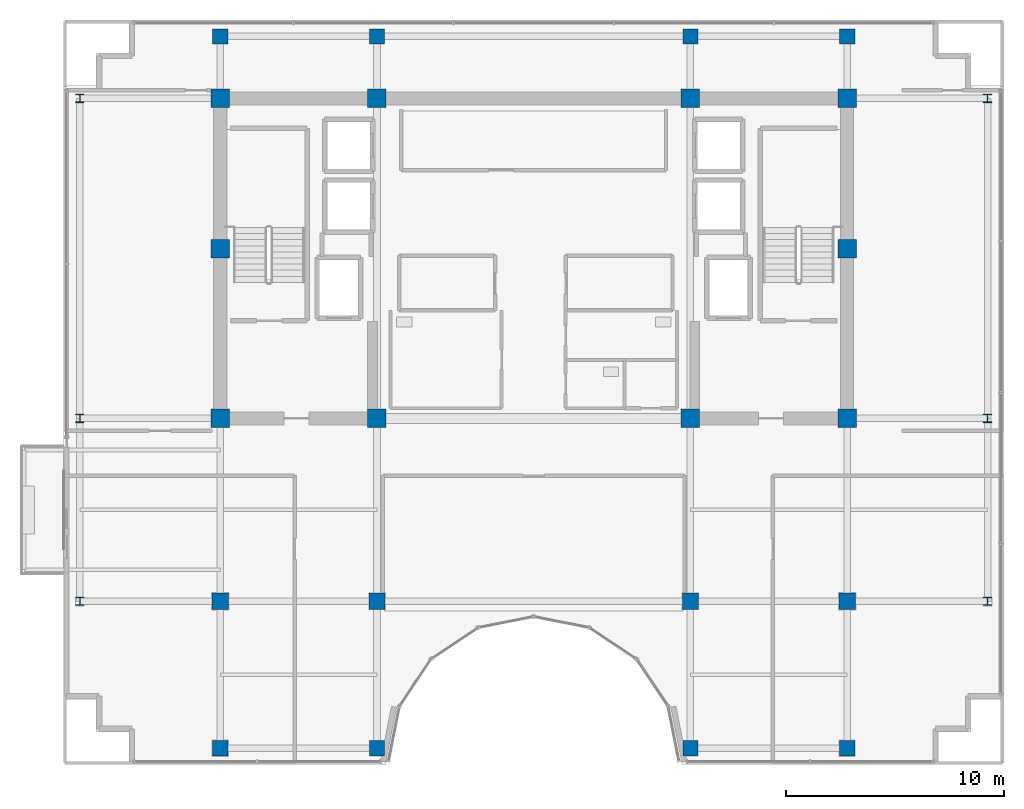
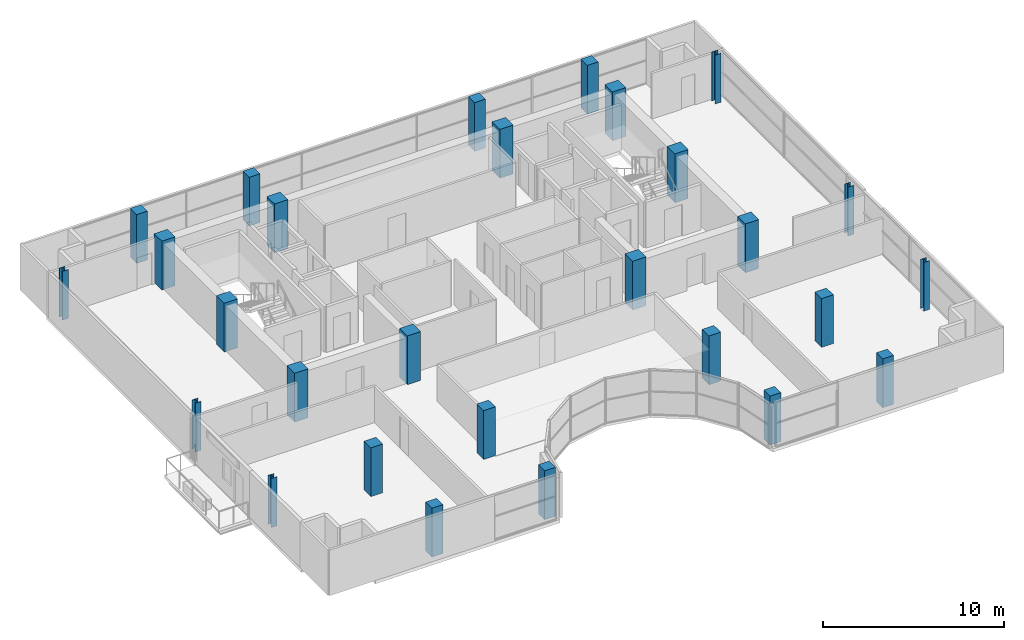
# One storey, part 1 of 28: 28 columns.
"""IFC4 building model written with IfcOpenShell, lengths in metres."""

from ifc_helpers import new_model, si_unit, direction, frame, origin, origin_2d, place, context, subcontext, project, spatial, rectangle, i_section, extrude, material, material_profile, profile_set, type_object, element, save


model = new_model("IFC4")

# Units and contexts
model_context = context("Model", 3, precision=1e-05, world=origin(), true_north=direction((0.0, 1.0)))
body_context = subcontext(model_context, "Body", "Model", "MODEL_VIEW")
ifc_project = project(units=[si_unit("LENGTHUNIT", "METRE"), si_unit("AREAUNIT", "SQUARE_METRE"), si_unit("VOLUMEUNIT", "CUBIC_METRE"), si_unit("PLANEANGLEUNIT", "RADIAN"), si_unit("MASSUNIT", "GRAM", prefix="KILO")], contexts=[model_context])

# Site, building, storey
site_placement = place(None, origin())
site = spatial("IfcSite", under=ifc_project, at=site_placement, CompositionType="ELEMENT")
building_placement = place(site_placement, origin())
building = spatial("IfcBuilding", under=site, at=building_placement, Name="Zarnakvel Exchange Tower", CompositionType="ELEMENT")
storey_placement = place(building_placement, frame((0.0, 0.0, 268.300048828125)))
storey = spatial("IfcBuildingStorey", under=building, at=storey_placement, Name="L76", CompositionType="ELEMENT", Elevation=268.300048828125)

# Columns
ifc_material_1 = material(Name="Concrete C50/60", Category="concrete")
ifc_material_profile_1 = material_profile(ifc_material_1, rectangle(XDim=0.85009765625, YDim=0.85009765625, at=origin_2d()))
ifc_profile_set_1 = profile_set([ifc_material_profile_1], Name="Concrete C50/60")
column_type_1 = type_object("IfcColumnType", Name="CC-03", PredefinedType="COLUMN", material=ifc_profile_set_1)
for number, where, z_axis, x_axis, name in (
    (1, (-14.39990234375, -1.199951171875, 0.0), (0.0, 0.0, 1.0), (1.0, 0.0, 0.0), "L76 Column C-4D (CC-03)"),
    (2, (-7.199951171875, -1.199951171875, 0.0), (0.0, 0.0, 1.0), (1.0, 0.0, 0.0), "L76 Column C-5D (CC-03)"),
    (3, (7.199951171875, -1.199951171875, 0.0), (0.0, 0.0, 1.0), (1.0, 0.0, 0.0), "L76 Column C-8D (CC-03)"),
    (4, (14.39990234375, -1.199951171875, 0.0), (0.0, 0.0, 1.0), (1.0, 0.0, 0.0), "L76 Column C-9D (CC-03)"),
    (5, (-14.39990234375, 6.60009765625, 0.0), (0.0, 0.0, 1.0), (1.0, 0.0, 0.0), "L76 Column C-4E (CC-03)"),
    (6, (14.39990234375, 6.60009765625, 0.0), (0.0, 0.0, 1.0), (1.0, 0.0, 0.0), "L76 Column C-9E (CC-03)"),
    (7, (-14.39990234375, 13.5, 0.0), (0.0, 0.0, 1.0), (1.0, 0.0, 0.0), "L76 Column C-4F (CC-03)"),
    (8, (-7.199951171875, 13.5, 0.0), (0.0, 0.0, 1.0), (1.0, 0.0, 0.0), "L76 Column C-5F (CC-03)"),
    (9, (7.199951171875, 13.5, 0.0), (0.0, 0.0, 1.0), (1.0, 0.0, 0.0), "L76 Column C-8F (CC-03)"),
    (10, (14.39990234375, 13.5, 0.0), (0.0, 0.0, 1.0), (1.0, 0.0, 0.0), "L76 Column C-9F (CC-03)"),
):
    element("IfcColumn", number, at=place(storey_placement, frame(where, z_axis=z_axis, x_axis=x_axis)), inside=storey, type_object=column_type_1, Name=name, PredefinedType="COLUMN", context=body_context, shape_type="SweptSolid", body=[
        extrude(rectangle(XDim=0.85009765625, YDim=0.85009765625, at=origin_2d()), origin(), (0.0, 0.0, 1.0), 3.300048828125),
    ])
ifc_material_2 = material(Name="Steel S355", Category="steel")
ifc_material_profile_2 = material_profile(ifc_material_2, i_section(OverallWidth=0.374755859375, OverallDepth=0.37451171875, WebThickness=0.0166015625, FlangeThickness=0.027099609375, FilletRadius=0.01513671875, at=origin_2d()))
ifc_profile_set_2 = profile_set([ifc_material_profile_2], Name="Steel S355")
column_type_2 = type_object("IfcColumnType", Name="SC-05", PredefinedType="COLUMN", material=ifc_profile_set_2)
for number, where, z_axis, x_axis, name in (
    (11, (-20.85009765625, -9.60009765625, 0.0), (0.0, 0.0, 1.0), (1.0, 0.0, 0.0), "L76 Column TW-C (SC-05)"),
    (12, (20.85009765625, -9.60009765625, 0.0), (0.0, 0.0, 1.0), (1.0, 0.0, 0.0), "L76 Column TE-C (SC-05)"),
    (13, (-20.85009765625, -1.199951171875, 0.0), (0.0, 0.0, 1.0), (1.0, 0.0, 0.0), "L76 Column TW-D (SC-05)"),
    (14, (20.85009765625, -1.199951171875, 0.0), (0.0, 0.0, 1.0), (1.0, 0.0, 0.0), "L76 Column TE-D (SC-05)"),
    (15, (-20.85009765625, 13.5, 0.0), (0.0, 0.0, 1.0), (1.0, 0.0, 0.0), "L76 Column TW-F (SC-05)"),
    (16, (20.85009765625, 13.5, 0.0), (0.0, 0.0, 1.0), (1.0, 0.0, 0.0), "L76 Column TE-F (SC-05)"),
):
    element("IfcColumn", number, at=place(storey_placement, frame(where, z_axis=z_axis, x_axis=x_axis)), inside=storey, type_object=column_type_2, Name=name, PredefinedType="COLUMN", context=body_context, shape_type="SweptSolid", body=[
        extrude(i_section(OverallWidth=0.374755859375, OverallDepth=0.37451171875, WebThickness=0.0166015625, FlangeThickness=0.027099609375, FilletRadius=0.01513671875, at=origin_2d()), origin(), (0.0, 0.0, 1.0), 3.300048828125),
    ])
ifc_material_profile_3 = material_profile(ifc_material_1, rectangle(XDim=0.75, YDim=0.75, at=origin_2d()))
ifc_profile_set_3 = profile_set([ifc_material_profile_3], Name="Concrete C50/60")
column_type_3 = type_object("IfcColumnType", Name="TC-04", PredefinedType="COLUMN", material=ifc_profile_set_3)
for number, where, z_axis, x_axis, name in (
    (17, (-14.39990234375, -9.60009765625, 0.0), (0.0, 0.0, 1.0), (1.0, 0.0, 0.0), "L76 Column T-4C (TC-04)"),
    (18, (-7.199951171875, -9.60009765625, 0.0), (0.0, 0.0, 1.0), (1.0, 0.0, 0.0), "L76 Column T-5C (TC-04)"),
    (19, (7.199951171875, -9.60009765625, 0.0), (0.0, 0.0, 1.0), (1.0, 0.0, 0.0), "L76 Column T-8C (TC-04)"),
    (20, (14.39990234375, -9.60009765625, 0.0), (0.0, 0.0, 1.0), (1.0, 0.0, 0.0), "L76 Column T-9C (TC-04)"),
):
    element("IfcColumn", number, at=place(storey_placement, frame(where, z_axis=z_axis, x_axis=x_axis)), inside=storey, type_object=column_type_3, Name=name, PredefinedType="COLUMN", context=body_context, shape_type="SweptSolid", body=[
        extrude(rectangle(XDim=0.75, YDim=0.75, at=origin_2d()), origin(), (0.0, 0.0, 1.0), 3.300048828125),
    ])
ifc_material_profile_4 = material_profile(ifc_material_1, rectangle(XDim=0.699951171875, YDim=0.699951171875, at=origin_2d()))
ifc_profile_set_4 = profile_set([ifc_material_profile_4], Name="Concrete C50/60")
column_type_4 = type_object("IfcColumnType", Name="TC-05", PredefinedType="COLUMN", material=ifc_profile_set_4)
for number, where, z_axis, x_axis, name in (
    (21, (-14.39990234375, -16.35009765625, 0.0), (0.0, 0.0, 1.0), (1.0, 0.0, 0.0), "L76 Column TS-4 (TC-05)"),
    (22, (-14.39990234375, 16.35009765625, 0.0), (0.0, 0.0, 1.0), (1.0, 0.0, 0.0), "L76 Column TN-4 (TC-05)"),
    (23, (-7.199951171875, -16.35009765625, 0.0), (0.0, 0.0, 1.0), (1.0, 0.0, 0.0), "L76 Column TS-5 (TC-05)"),
    (24, (-7.199951171875, 16.35009765625, 0.0), (0.0, 0.0, 1.0), (1.0, 0.0, 0.0), "L76 Column TN-5 (TC-05)"),
    (25, (7.199951171875, -16.35009765625, 0.0), (0.0, 0.0, 1.0), (1.0, 0.0, 0.0), "L76 Column TS-8 (TC-05)"),
    (26, (7.199951171875, 16.35009765625, 0.0), (0.0, 0.0, 1.0), (1.0, 0.0, 0.0), "L76 Column TN-8 (TC-05)"),
    (27, (14.39990234375, -16.35009765625, 0.0), (0.0, 0.0, 1.0), (1.0, 0.0, 0.0), "L76 Column TS-9 (TC-05)"),
    (28, (14.39990234375, 16.35009765625, 0.0), (0.0, 0.0, 1.0), (1.0, 0.0, 0.0), "L76 Column TN-9 (TC-05)"),
):
    element("IfcColumn", number, at=place(storey_placement, frame(where, z_axis=z_axis, x_axis=x_axis)), inside=storey, type_object=column_type_4, Name=name, PredefinedType="COLUMN", context=body_context, shape_type="SweptSolid", body=[
        extrude(rectangle(XDim=0.699951171875, YDim=0.699951171875, at=origin_2d()), origin(), (0.0, 0.0, 1.0), 3.300048828125),
    ])

save(model, "model.ifc")
